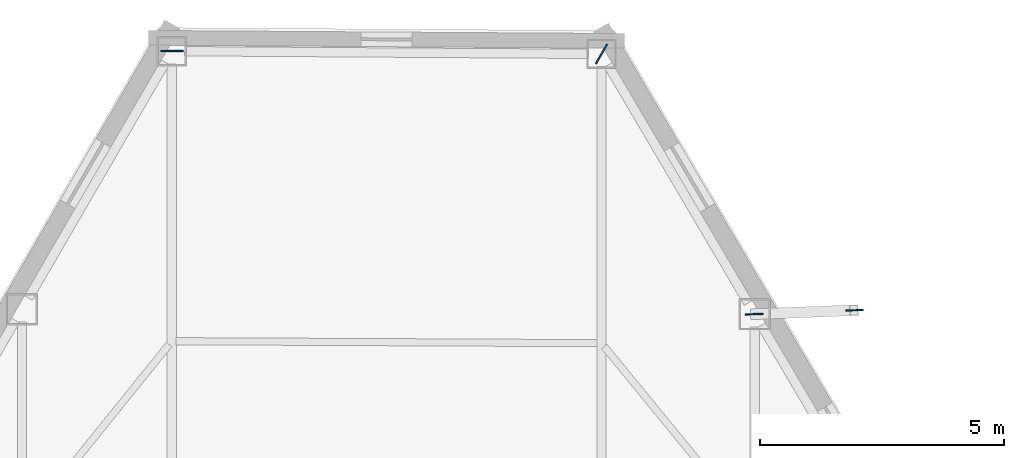
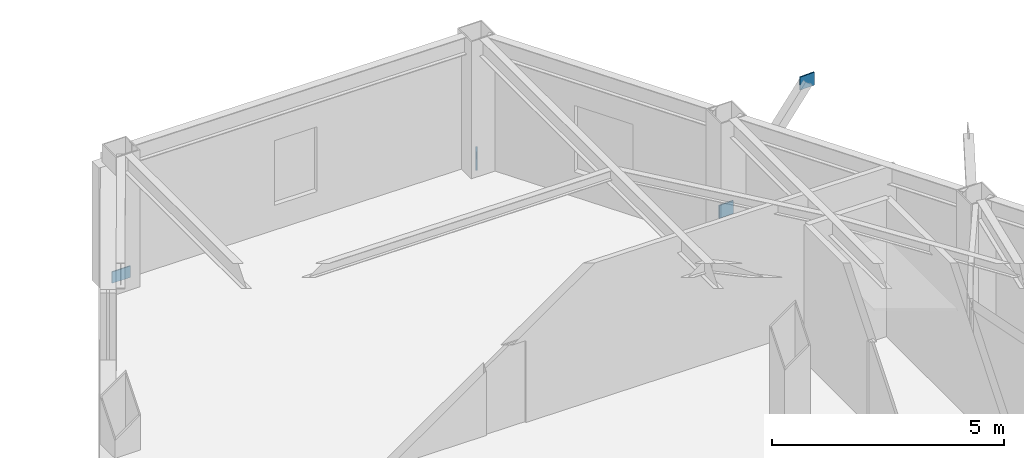
# One storey, part 6 of 11: 4 plates.
"""IFC4 building model written with IfcOpenShell, lengths in metres."""

from ifc_helpers import new_model, si_unit, direction, frame, origin, origin_2d, place, context, subcontext, project, spatial, rectangle, extrude, material, layer, layer_set, type_object, element, save


model = new_model("IFC4")

# Units and contexts
model_context = context("Model", 3, precision=1e-05, world=origin(), true_north=direction((0.0, 1.0)))
body_context = subcontext(model_context, "Body", "Model", "MODEL_VIEW")
ifc_project = project(units=[si_unit("LENGTHUNIT", "METRE"), si_unit("AREAUNIT", "SQUARE_METRE"), si_unit("VOLUMEUNIT", "CUBIC_METRE"), si_unit("PLANEANGLEUNIT", "RADIAN"), si_unit("MASSUNIT", "GRAM", prefix="KILO")], contexts=[model_context])

# Site, building, storey
site_placement = place(None, origin())
site = spatial("IfcSite", under=ifc_project, at=site_placement, CompositionType="ELEMENT")
building_placement = place(site_placement, origin())
building = spatial("IfcBuilding", under=site, at=building_placement, Name="Kavelnor Concourse Tower", CompositionType="ELEMENT")
storey_placement = place(building_placement, frame((0.0, 0.0, 195.800048828125)))
storey = spatial("IfcBuildingStorey", under=building, at=storey_placement, Name="L49", CompositionType="ELEMENT", Elevation=195.800048828125)

# Plates
ifc_material = material(Name="Steel Grade 350", Category="steel")
ifc_layer = layer(ifc_material, 0.028076171875, Name="Steel Grade 350")
ifc_layer_set = layer_set([ifc_layer], Name="Steel Grade 350")
plate_type = type_object("IfcPlateType", Name="PL-GUSSET-FOLD", PredefinedType="USERDEFINED", material=ifc_layer_set)
for number, where, z_axis, x_axis, name in (
    (1, (33.65478515625, 43.537841796875, 0.10009765625), (0.0, 0.0, 1.0), (1.0, 0.0, 0.0), "L49 Herringbone Corner-Fold Kink Gusset Plate F0-B0"),
    (2, (42.451416015625, 43.480224609375, 0.10009765625), (0.0, 0.0, 1.0), (-0.5, -0.866025403784, 0.0), "L49 Herringbone Corner-Fold Kink Gusset Plate F2-B6"),
):
    element("IfcPlate", number, at=place(storey_placement, frame(where, z_axis=z_axis, x_axis=x_axis)), inside=storey, type_object=plate_type, Name=name, ObjectType="GUSSET_PLATE", PredefinedType="USERDEFINED", context=body_context, shape_type="SweptSolid", body=[
        extrude(rectangle(XDim=0.4599609375, YDim=0.028076171875, at=origin_2d()), origin(), (0.0, 0.0, 1.0), 0.300048828125),
    ])
for number, where, z_axis, x_axis, name in (
    (3, (45.578857421875, 38.1533203125, 0.8798828125), (0.0, 0.0, 1.0), (0.999249455659, 0.038736615301, 0.0), "L49 Balcony Strut Gusset GP4 1-B End Gusset A"),
    (4, (47.6337890625, 38.2333984375, 3.48486328125), (0.0, 0.0, 1.0), (0.999249455659, 0.038736615301, 0.0), "L49 Balcony Strut Gusset GP4 1-B End Gusset B"),
):
    element("IfcPlate", number, at=place(storey_placement, frame(where, z_axis=z_axis, x_axis=x_axis)), inside=storey, type_object=plate_type, Name=name, ObjectType="GUSSET_PLATE", PredefinedType="USERDEFINED", context=body_context, shape_type="SweptSolid", body=[
        extrude(rectangle(XDim=0.360107421875, YDim=0.028076171875, at=origin_2d()), origin(), (0.0, 0.0, 1.0), 0.340087890625),
    ])

save(model, "model.ifc")
